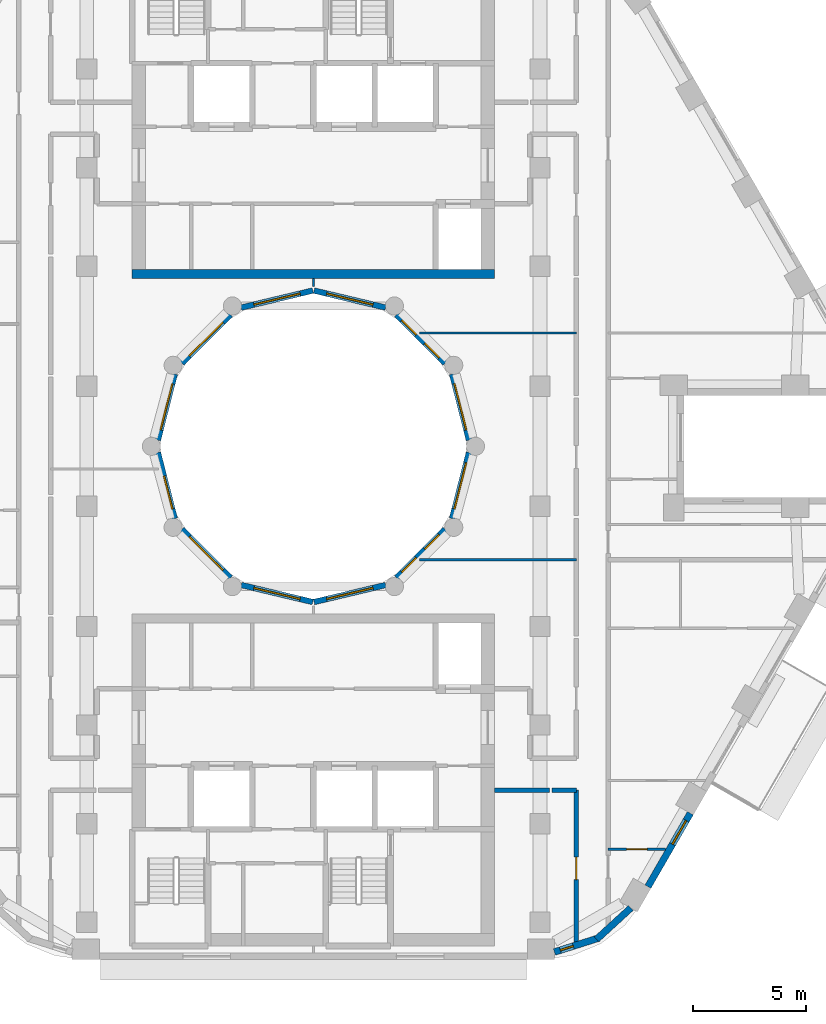
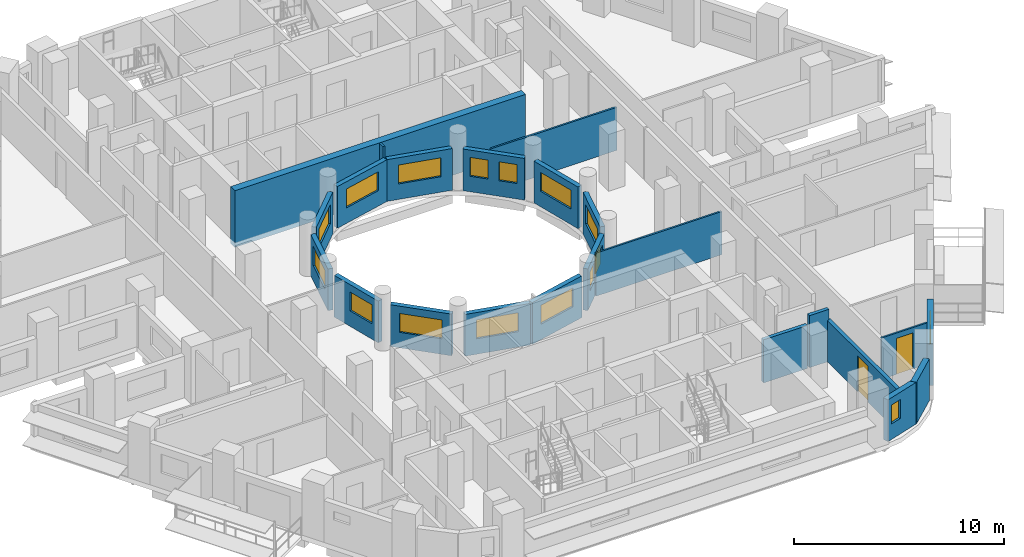
# One storey, part 5 of 15: 23 walls, 16 windows, 2 doors, 18 openings.
"""IFC4 building model written with IfcOpenShell, lengths in metres."""

from ifc_helpers import new_model, si_unit, direction, frame, frame_2d, origin, place, context, subcontext, project, spatial, rectangle, extrude, material, layer, layer_set, type_object, element, fill, save


model = new_model("IFC4")

# Units and contexts
model_context = context("Model", 3, precision=1e-05, world=origin(), true_north=direction((0.0, 1.0)))
body_context = subcontext(model_context, "Body", "Model", "MODEL_VIEW")
ifc_project = project(units=[si_unit("LENGTHUNIT", "METRE"), si_unit("AREAUNIT", "SQUARE_METRE"), si_unit("VOLUMEUNIT", "CUBIC_METRE"), si_unit("PLANEANGLEUNIT", "RADIAN"), si_unit("MASSUNIT", "GRAM", prefix="KILO")], contexts=[model_context])

# Site, building, storey
site_placement = place(None, origin())
site = spatial("IfcSite", under=ifc_project, at=site_placement, CompositionType="ELEMENT")
building_placement = place(site_placement, origin())
building = spatial("IfcBuilding", under=site, at=building_placement, Name="Nakaniwa Court", CompositionType="ELEMENT")
storey_placement = place(building_placement, frame((0.0, 0.0, 189.89990234375)))
storey = spatial("IfcBuildingStorey", under=building, at=storey_placement, Name="L49", CompositionType="ELEMENT", Elevation=189.89990234375)

# Wall, opening, door
ifc_material_1 = material(Name="Acoustic double stud partition")
ifc_layer_1 = layer(ifc_material_1, 0.199951171875)
ifc_layer_set_1 = layer_set([ifc_layer_1], Name="Acoustic double stud partition")
wall_type_1 = type_object("IfcWallType", Name="Acoustic double stud partition 200", PredefinedType="PARTITIONING", material=ifc_layer_set_1)
wall_1_placement = place(storey_placement, frame((91.60009765625, 57.92626953125, 0.0), z_axis=(0.0, 0.0, 1.0), x_axis=(0.0, 1.0, 0.0)))
wall_1 = element("IfcWall", 1, at=wall_1_placement, inside=storey, type_object=wall_type_1, Name="Partition PW-067", PredefinedType="PARTITIONING", context=body_context, shape_type="SweptSolid", body=[
    extrude(rectangle(XDim=6.898681640625, YDim=0.199951171875, at=frame_2d((3.44921875, 0.0))), origin(), (0.0, 0.0, 1.0), 2.405029296875),
])
opening_1_placement = place(wall_1_placement, frame((2.948974609375, 0.0, 0.0)))
opening_1 = element("IfcOpeningElement", 2, at=opening_1_placement, cuts=wall_1, Name="Opening D-02-01", PredefinedType="OPENING", context=body_context, shape_type="SweptSolid", body=[
    extrude(rectangle(XDim=1.0, YDim=2.10009765625, at=frame_2d((0.5, 1.050048828125))), frame((0.0, 0.10986328125, 0.0), z_axis=(0.0, -1.0, 0.0), x_axis=(1.0, 0.0, 0.0)), (0.0, 0.0, 1.0), 0.219970703125),
])
ifc_material_2 = material(Name="Solid core timber door set, black veneer", Category="wood")
door_type_1 = type_object("IfcDoorType", Name="Internal door 1000", OperationType="NOTDEFINED", PredefinedType="DOOR", material=ifc_material_2)
door_1_placement = place(opening_1_placement, origin())
door_1 = element("IfcDoor", 3, at=door_1_placement, inside=storey, type_object=door_type_1, Name="Door D-02-01 L49-023", OperationType="SINGLE_SWING_RIGHT", OverallHeight=2.10009765625, OverallWidth=1.0, PredefinedType="DOOR", context=body_context, shape_type="SweptSolid", body=[
    extrude(rectangle(XDim=1.0, YDim=2.10009765625, at=frame_2d((0.5, 1.050048828125))), frame((0.0, 0.02490234375, 0.0), z_axis=(0.0, -1.0, 0.0), x_axis=(1.0, 0.0, 0.0)), (0.0, 0.0, 1.0), 0.050048828125),
])
fill(opening_1, door_1)

# Walls
wall_2_placement = place(storey_placement, frame((88.0, 64.824951171875, 0.0), z_axis=(0.0, 0.0, 1.0), x_axis=(1.0, 0.0, 0.0)))
element("IfcWall", 4, at=wall_2_placement, inside=storey, type_object=wall_type_1, Name="Partition PW-076", PredefinedType="PARTITIONING", context=body_context, shape_type="SweptSolid", body=[
    extrude(rectangle(XDim=2.412841796875, YDim=0.199951171875, at=frame_2d((1.20654296875, 0.0))), origin(), (0.0, 0.0, 1.0), 2.505126953125),
])
wall_3_placement = place(storey_placement, frame((90.527099609375, 64.824951171875, 0.0), z_axis=(0.0, 0.0, 1.0), x_axis=(1.0, 0.0, 0.0)))
element("IfcWall", 5, at=wall_3_placement, inside=storey, type_object=wall_type_1, Name="Partition PW-077", PredefinedType="PARTITIONING", context=body_context, shape_type="SweptSolid", body=[
    extrude(rectangle(XDim=1.072998046875, YDim=0.199951171875, at=frame_2d((0.53662109375, 0.0))), origin(), (0.0, 0.0, 1.0), 3.025146484375),
])

# Wall, opening, window
ifc_material_3 = material(Name="Charcoal ceramic cladding")
ifc_layer_2 = layer(ifc_material_3, 0.02, Name="Ceramic cladding")
ifc_material_4 = material(Name="Ventilated air cavity")
ifc_layer_3 = layer(ifc_material_4, 0.04, ventilated=True, Name="Ventilated cavity")
ifc_material_5 = material(Name="Mineral wool insulation")
ifc_layer_4 = layer(ifc_material_5, 0.1, Name="Insulation")
ifc_material_6 = material(Name="Cement bonded sheathing board")
ifc_layer_5 = layer(ifc_material_6, 0.012, Name="Sheathing")
ifc_material_7 = material(Name="Cold-formed galvanised stud frame with mineral wool infill")
ifc_layer_6 = layer(ifc_material_7, 0.1, Name="Stud frame")
ifc_material_8 = material(Name="Fire-rated gypsum plasterboard lining")
ifc_layer_7 = layer(ifc_material_8, 0.028, Name="Lining")
ifc_layer_set_2 = layer_set([ifc_layer_2, ifc_layer_3, ifc_layer_4, ifc_layer_5, ifc_layer_6, ifc_layer_7], Name="Charcoal ceramic faced external wall system")
wall_type_2 = type_object("IfcWallType", Name="Black ceramic faced external wall 300", PredefinedType="SOLIDWALL", material=ifc_layer_set_2)
wall_4_placement = place(storey_placement, frame((90.6357421875, 57.684814453125, 0.0), z_axis=(0.0, 0.0, 1.0), x_axis=(0.95368324118, 0.300812691707, 0.0)))
wall_4 = element("IfcWall", 6, at=wall_4_placement, inside=storey, type_object=wall_type_2, Name="L49 external wall 27", PredefinedType="SOLIDWALL", context=body_context, shape_type="SweptSolid", body=[
    extrude(rectangle(XDim=2.053466796875, YDim=0.300048828125, at=frame_2d((1.02685546875, 0.0))), origin(), (0.0, 0.0, 1.0), 2.425048828125),
])
opening_2_placement = place(wall_4_placement, frame((0.271240234375, 0.0, 0.89990234375)))
opening_2 = element("IfcOpeningElement", 7, at=opening_2_placement, cuts=wall_4, Name="Opening W8.29", PredefinedType="OPENING", context=body_context, shape_type="SweptSolid", body=[
    extrude(rectangle(XDim=0.60009765625, YDim=1.10009765625, at=frame_2d((0.300048828125, 0.550048828125))), frame((0.0, 0.159912109375, 0.0), z_axis=(0.0, -1.0, 0.0), x_axis=(1.0, 0.0, 0.0)), (0.0, 0.0, 1.0), 0.320068359375),
])
ifc_material_9 = material(Name="Black anodised aluminium frame with dark low-E laminated double glazing", Category="aluminium")
window_type_1 = type_object("IfcWindowType", Name="Dark glass window 600x1100 sill 900", PartitioningType="SINGLE_PANEL", PredefinedType="WINDOW", material=ifc_material_9)
window_1_placement = place(opening_2_placement, origin())
window_1 = element("IfcWindow", 8, at=window_1_placement, inside=storey, type_object=window_type_1, Name="L49 habitable room window 27-0", OverallHeight=1.10009765625, OverallWidth=0.60009765625, PartitioningType="SINGLE_PANEL", PredefinedType="WINDOW", context=body_context, shape_type="SweptSolid", body=[
    extrude(rectangle(XDim=0.60009765625, YDim=1.10009765625, at=frame_2d((0.300048828125, 0.550048828125))), frame((0.0, 0.030029296875, 0.0), z_axis=(0.0, -1.0, 0.0), x_axis=(1.0, 0.0, 0.0)), (0.0, 0.0, 1.0), 0.06005859375),
])
fill(opening_2, window_1)

# Wall
wall_5_placement = place(storey_placement, frame((92.494140625, 58.243896484375, 0.0), z_axis=(0.0, 0.0, 1.0), x_axis=(0.73764876128, 0.675184645102, 0.0)))
element("IfcWall", 9, at=wall_5_placement, inside=storey, type_object=wall_type_2, Name="L49 external wall 28", PredefinedType="SOLIDWALL", context=body_context, shape_type="SweptSolid", body=[
    extrude(rectangle(XDim=2.048095703125, YDim=0.300048828125, at=frame_2d((1.02392578125, 0.0))), origin(), (0.0, 0.0, 1.0), 2.425048828125),
])

# Wall, opening, window
wall_6_placement = place(storey_placement, frame((94.760986328125, 60.566650390625, 0.0), z_axis=(0.0, 0.0, 1.0), x_axis=(0.499982088007, 0.866035745032, 0.0)))
wall_6 = element("IfcWall", 10, at=wall_6_placement, inside=storey, type_object=wall_type_2, Name="L49 external wall 29", PredefinedType="SOLIDWALL", context=body_context, shape_type="SweptSolid", body=[
    extrude(rectangle(XDim=3.744384765625, YDim=0.300048828125, at=frame_2d((1.8720703125, 0.0))), origin(), (0.0, 0.0, 1.0), 2.425048828125),
])
opening_3_placement = place(wall_6_placement, frame((2.168701171875, 0.0, 0.89990234375)))
opening_3 = element("IfcOpeningElement", 11, at=opening_3_placement, cuts=wall_6, Name="Opening W6.30", PredefinedType="OPENING", context=body_context, shape_type="SweptSolid", body=[
    extrude(rectangle(XDim=1.199951171875, YDim=1.10009765625, at=frame_2d((0.60009765625, 0.550048828125))), frame((0.0, 0.159912109375, 0.0), z_axis=(0.0, -1.0, 0.0), x_axis=(1.0, 0.0, 0.0)), (0.0, 0.0, 1.0), 0.320068359375),
])
window_type_2 = type_object("IfcWindowType", Name="Dark glass window 1200x1100 sill 900", PartitioningType="SINGLE_PANEL", PredefinedType="WINDOW", material=ifc_material_9)
window_2_placement = place(opening_3_placement, origin())
window_2 = element("IfcWindow", 12, at=window_2_placement, inside=storey, type_object=window_type_2, Name="L49 habitable room window 29-1", OverallHeight=1.10009765625, OverallWidth=1.199951171875, PartitioningType="SINGLE_PANEL", PredefinedType="WINDOW", context=body_context, shape_type="SweptSolid", body=[
    extrude(rectangle(XDim=1.199951171875, YDim=1.10009765625, at=frame_2d((0.60009765625, 0.550048828125))), frame((0.0, 0.030029296875, 0.0), z_axis=(0.0, -1.0, 0.0), x_axis=(1.0, 0.0, 0.0)), (0.0, 0.0, 1.0), 0.06005859375),
])
fill(opening_3, window_2)

ifc_layer_8 = layer(ifc_material_3, 0.02, Name="Ceramic cladding")
ifc_layer_9 = layer(ifc_material_4, 0.04, ventilated=True, Name="Ventilated cavity")
ifc_layer_10 = layer(ifc_material_5, 0.075, Name="Insulation")
ifc_layer_11 = layer(ifc_material_6, 0.012, Name="Sheathing")
ifc_layer_12 = layer(ifc_material_7, 0.075, Name="Stud frame")
ifc_layer_13 = layer(ifc_material_8, 0.028, Name="Lining")
ifc_layer_set_3 = layer_set([ifc_layer_8, ifc_layer_9, ifc_layer_10, ifc_layer_11, ifc_layer_12, ifc_layer_13], Name="Charcoal ceramic faced external wall system")
wall_type_3 = type_object("IfcWallType", Name="Charcoal ceramic faced well wall 250", PredefinedType="SOLIDWALL", material=ifc_layer_set_3)
wall_7_placement = place(storey_placement, frame((86.8603515625, 79.72998046875, 0.0), z_axis=(0.0, 0.0, 1.0), x_axis=(-0.247055971283, -0.969001211069, 0.0)))
wall_7 = element("IfcWall", 13, at=wall_7_placement, inside=storey, type_object=wall_type_3, Name="L49 external wall 36", PredefinedType="SOLIDWALL", context=body_context, shape_type="SweptSolid", body=[
    extrude(rectangle(XDim=3.010009765625, YDim=0.25, at=frame_2d((1.5048828125, 0.0))), origin(), (0.0, 0.0, 1.0), 2.425048828125),
])
opening_4_placement = place(wall_7_placement, frame((0.46875, 0.0, 0.89990234375)))
opening_4 = element("IfcOpeningElement", 14, at=opening_4_placement, cuts=wall_7, Name="Opening W7.36", PredefinedType="OPENING", context=body_context, shape_type="SweptSolid", body=[
    extrude(rectangle(XDim=2.10009765625, YDim=1.10009765625, at=frame_2d((1.050048828125, 0.550048828125))), frame((0.0, 0.135009765625, 0.0), z_axis=(0.0, -1.0, 0.0), x_axis=(1.0, 0.0, 0.0)), (0.0, 0.0, 1.0), 0.27001953125),
])
window_type_3 = type_object("IfcWindowType", Name="Dark glass window 2100x1100 sill 900", PartitioningType="SINGLE_PANEL", PredefinedType="WINDOW", material=ifc_material_9)
window_3_placement = place(opening_4_placement, origin())
window_3 = element("IfcWindow", 15, at=window_3_placement, inside=storey, type_object=window_type_3, Name="L49 habitable room window 36-0", OverallHeight=1.10009765625, OverallWidth=2.10009765625, PartitioningType="SINGLE_PANEL", PredefinedType="WINDOW", context=body_context, shape_type="SweptSolid", body=[
    extrude(rectangle(XDim=2.10009765625, YDim=1.10009765625, at=frame_2d((1.050048828125, 0.550048828125))), frame((0.0, 0.030029296875, 0.0), z_axis=(0.0, -1.0, 0.0), x_axis=(1.0, 0.0, 0.0)), (0.0, 0.0, 1.0), 0.06005859375),
])
fill(opening_4, window_3)

# Wall, openings, windows
wall_8_placement = place(storey_placement, frame((85.8056640625, 76.339111328125, 0.0), z_axis=(0.0, 0.0, 1.0), x_axis=(-0.707106781187, -0.707106781187, 0.0)))
wall_8 = element("IfcWall", 16, at=wall_8_placement, inside=storey, type_object=wall_type_3, Name="L49 external wall 37", PredefinedType="SOLIDWALL", context=body_context, shape_type="SweptSolid", body=[
    extrude(rectangle(XDim=3.033203125, YDim=0.25, at=frame_2d((1.5166015625, 0.0))), origin(), (0.0, 0.0, 1.0), 2.425048828125),
])
opening_5_placement = place(wall_8_placement, frame((0.353271484375, 0.0, 0.89990234375)))
opening_5 = element("IfcOpeningElement", 17, at=opening_5_placement, cuts=wall_8, Name="Opening W9.37", PredefinedType="OPENING", context=body_context, shape_type="SweptSolid", body=[
    extrude(rectangle(XDim=0.89990234375, YDim=1.10009765625, at=frame_2d((0.449951171875, 0.550048828125))), frame((0.0, 0.135009765625, 0.0), z_axis=(0.0, -1.0, 0.0), x_axis=(1.0, 0.0, 0.0)), (0.0, 0.0, 1.0), 0.27001953125),
])
opening_6_placement = place(wall_8_placement, frame((1.787841796875, 0.0, 0.89990234375)))
opening_6 = element("IfcOpeningElement", 18, at=opening_6_placement, cuts=wall_8, Name="Opening W9.38", PredefinedType="OPENING", context=body_context, shape_type="SweptSolid", body=[
    extrude(rectangle(XDim=0.89990234375, YDim=1.10009765625, at=frame_2d((0.449951171875, 0.550048828125))), frame((0.0, 0.135009765625, 0.0), z_axis=(0.0, -1.0, 0.0), x_axis=(1.0, 0.0, 0.0)), (0.0, 0.0, 1.0), 0.27001953125),
])
window_type_4 = type_object("IfcWindowType", Name="Dark glass window 900x1100 sill 900", PartitioningType="SINGLE_PANEL", PredefinedType="WINDOW", material=ifc_material_9)
window_4_placement = place(opening_5_placement, origin())
window_4 = element("IfcWindow", 19, at=window_4_placement, inside=storey, type_object=window_type_4, Name="L49 habitable room window 37-0", OverallHeight=1.10009765625, OverallWidth=0.89990234375, PartitioningType="SINGLE_PANEL", PredefinedType="WINDOW", context=body_context, shape_type="SweptSolid", body=[
    extrude(rectangle(XDim=0.89990234375, YDim=1.10009765625, at=frame_2d((0.449951171875, 0.550048828125))), frame((0.0, 0.030029296875, 0.0), z_axis=(0.0, -1.0, 0.0), x_axis=(1.0, 0.0, 0.0)), (0.0, 0.0, 1.0), 0.06005859375),
])
fill(opening_5, window_4)
window_5_placement = place(opening_6_placement, origin())
window_5 = element("IfcWindow", 20, at=window_5_placement, inside=storey, type_object=window_type_4, Name="L49 habitable room window 37-1", OverallHeight=1.10009765625, OverallWidth=0.89990234375, PartitioningType="SINGLE_PANEL", PredefinedType="WINDOW", context=body_context, shape_type="SweptSolid", body=[
    extrude(rectangle(XDim=0.89990234375, YDim=1.10009765625, at=frame_2d((0.449951171875, 0.550048828125))), frame((0.0, 0.030029296875, 0.0), z_axis=(0.0, -1.0, 0.0), x_axis=(1.0, 0.0, 0.0)), (0.0, 0.0, 1.0), 0.06005859375),
])
fill(opening_6, window_5)

# Wall, opening, window
wall_9_placement = place(storey_placement, frame((83.186279296875, 73.880615234375, 0.0), z_axis=(0.0, 0.0, 1.0), x_axis=(-0.972773113459, -0.231759508395, 0.0)))
wall_9 = element("IfcWall", 21, at=wall_9_placement, inside=storey, type_object=wall_type_3, Name="L49 external wall 38", PredefinedType="SOLIDWALL", context=body_context, shape_type="SweptSolid", body=[
    extrude(rectangle(XDim=3.24560546875, YDim=0.25, at=frame_2d((1.622802734375, 0.0))), origin(), (0.0, 0.0, 1.0), 2.425048828125),
])
opening_7_placement = place(wall_9_placement, frame((0.57275390625, 0.0, 0.89990234375)))
opening_7 = element("IfcOpeningElement", 22, at=opening_7_placement, cuts=wall_9, Name="Opening W7.39", PredefinedType="OPENING", context=body_context, shape_type="SweptSolid", body=[
    extrude(rectangle(XDim=2.10009765625, YDim=1.10009765625, at=frame_2d((1.050048828125, 0.550048828125))), frame((0.0, 0.135009765625, 0.0), z_axis=(0.0, -1.0, 0.0), x_axis=(1.0, 0.0, 0.0)), (0.0, 0.0, 1.0), 0.27001953125),
])
window_6_placement = place(opening_7_placement, origin())
window_6 = element("IfcWindow", 23, at=window_6_placement, inside=storey, type_object=window_type_3, Name="L49 habitable room window 38-0", OverallHeight=1.10009765625, OverallWidth=2.10009765625, PartitioningType="SINGLE_PANEL", PredefinedType="WINDOW", context=body_context, shape_type="SweptSolid", body=[
    extrude(rectangle(XDim=2.10009765625, YDim=1.10009765625, at=frame_2d((1.050048828125, 0.550048828125))), frame((0.0, 0.030029296875, 0.0), z_axis=(0.0, -1.0, 0.0), x_axis=(1.0, 0.0, 0.0)), (0.0, 0.0, 1.0), 0.06005859375),
])
fill(opening_7, window_6)

wall_10_placement = place(storey_placement, frame((79.970947265625, 73.12841796875, 0.0), z_axis=(0.0, 0.0, 1.0), x_axis=(-0.972773113459, 0.231759508395, 0.0)))
wall_10 = element("IfcWall", 24, at=wall_10_placement, inside=storey, type_object=wall_type_3, Name="L49 external wall 39", PredefinedType="SOLIDWALL", context=body_context, shape_type="SweptSolid", body=[
    extrude(rectangle(XDim=3.24560546875, YDim=0.25, at=frame_2d((1.622802734375, 0.0))), origin(), (0.0, 0.0, 1.0), 2.425048828125),
])
opening_8_placement = place(wall_10_placement, frame((0.57275390625, 0.0, 0.89990234375)))
opening_8 = element("IfcOpeningElement", 25, at=opening_8_placement, cuts=wall_10, Name="Opening W7.40", PredefinedType="OPENING", context=body_context, shape_type="SweptSolid", body=[
    extrude(rectangle(XDim=2.10009765625, YDim=1.10009765625, at=frame_2d((1.050048828125, 0.550048828125))), frame((0.0, 0.135009765625, 0.0), z_axis=(0.0, -1.0, 0.0), x_axis=(1.0, 0.0, 0.0)), (0.0, 0.0, 1.0), 0.27001953125),
])
window_7_placement = place(opening_8_placement, origin())
window_7 = element("IfcWindow", 26, at=window_7_placement, inside=storey, type_object=window_type_3, Name="L49 habitable room window 39-0", OverallHeight=1.10009765625, OverallWidth=2.10009765625, PartitioningType="SINGLE_PANEL", PredefinedType="WINDOW", context=body_context, shape_type="SweptSolid", body=[
    extrude(rectangle(XDim=2.10009765625, YDim=1.10009765625, at=frame_2d((1.050048828125, 0.550048828125))), frame((0.0, 0.030029296875, 0.0), z_axis=(0.0, -1.0, 0.0), x_axis=(1.0, 0.0, 0.0)), (0.0, 0.0, 1.0), 0.06005859375),
])
fill(opening_8, window_7)

wall_11_placement = place(storey_placement, frame((76.339111328125, 74.1943359375, 0.0), z_axis=(0.0, 0.0, 1.0), x_axis=(-0.707106781187, 0.707106781187, 0.0)))
wall_11 = element("IfcWall", 27, at=wall_11_placement, inside=storey, type_object=wall_type_3, Name="L49 external wall 40", PredefinedType="SOLIDWALL", context=body_context, shape_type="SweptSolid", body=[
    extrude(rectangle(XDim=3.033203125, YDim=0.25, at=frame_2d((1.5166015625, 0.0))), origin(), (0.0, 0.0, 1.0), 2.425048828125),
])
opening_9_placement = place(wall_11_placement, frame((0.466552734375, 0.0, 0.89990234375)))
opening_9 = element("IfcOpeningElement", 28, at=opening_9_placement, cuts=wall_11, Name="Opening W7.41", PredefinedType="OPENING", context=body_context, shape_type="SweptSolid", body=[
    extrude(rectangle(XDim=2.10009765625, YDim=1.10009765625, at=frame_2d((1.050048828125, 0.550048828125))), frame((0.0, 0.135009765625, 0.0), z_axis=(0.0, -1.0, 0.0), x_axis=(1.0, 0.0, 0.0)), (0.0, 0.0, 1.0), 0.27001953125),
])
window_8_placement = place(opening_9_placement, origin())
window_8 = element("IfcWindow", 29, at=window_8_placement, inside=storey, type_object=window_type_3, Name="L49 habitable room window 40-0", OverallHeight=1.10009765625, OverallWidth=2.10009765625, PartitioningType="SINGLE_PANEL", PredefinedType="WINDOW", context=body_context, shape_type="SweptSolid", body=[
    extrude(rectangle(XDim=2.10009765625, YDim=1.10009765625, at=frame_2d((1.050048828125, 0.550048828125))), frame((0.0, 0.030029296875, 0.0), z_axis=(0.0, -1.0, 0.0), x_axis=(1.0, 0.0, 0.0)), (0.0, 0.0, 1.0), 0.06005859375),
])
fill(opening_9, window_8)

wall_12_placement = place(storey_placement, frame((73.88330078125, 76.813232421875, 0.0), z_axis=(0.0, 0.0, 1.0), x_axis=(-0.247055971283, 0.969001211069, 0.0)))
wall_12 = element("IfcWall", 30, at=wall_12_placement, inside=storey, type_object=wall_type_3, Name="L49 external wall 41", PredefinedType="SOLIDWALL", context=body_context, shape_type="SweptSolid", body=[
    extrude(rectangle(XDim=3.010009765625, YDim=0.25, at=frame_2d((1.5048828125, 0.0))), origin(), (0.0, 0.0, 1.0), 2.425048828125),
])
opening_10_placement = place(wall_12_placement, frame((0.4326171875, 0.0, 0.89990234375)))
opening_10 = element("IfcOpeningElement", 31, at=opening_10_placement, cuts=wall_12, Name="Opening W5.42", PredefinedType="OPENING", context=body_context, shape_type="SweptSolid", body=[
    extrude(rectangle(XDim=1.5, YDim=1.10009765625, at=frame_2d((0.75, 0.550048828125))), frame((0.0, 0.135009765625, 0.0), z_axis=(0.0, -1.0, 0.0), x_axis=(1.0, 0.0, 0.0)), (0.0, 0.0, 1.0), 0.27001953125),
])
window_type_5 = type_object("IfcWindowType", Name="Dark glass window 1500x1100 sill 900", PartitioningType="SINGLE_PANEL", PredefinedType="WINDOW", material=ifc_material_9)
window_9_placement = place(opening_10_placement, origin())
window_9 = element("IfcWindow", 32, at=window_9_placement, inside=storey, type_object=window_type_5, Name="L49 habitable room window 41-0", OverallHeight=1.10009765625, OverallWidth=1.5, PartitioningType="SINGLE_PANEL", PredefinedType="WINDOW", context=body_context, shape_type="SweptSolid", body=[
    extrude(rectangle(XDim=1.5, YDim=1.10009765625, at=frame_2d((0.75, 0.550048828125))), frame((0.0, 0.030029296875, 0.0), z_axis=(0.0, -1.0, 0.0), x_axis=(1.0, 0.0, 0.0)), (0.0, 0.0, 1.0), 0.06005859375),
])
fill(opening_10, window_9)

wall_13_placement = place(storey_placement, frame((73.1396484375, 80.27001953125, 0.0), z_axis=(0.0, 0.0, 1.0), x_axis=(0.247055971283, 0.969001211069, 0.0)))
wall_13 = element("IfcWall", 33, at=wall_13_placement, inside=storey, type_object=wall_type_3, Name="L49 external wall 42", PredefinedType="SOLIDWALL", context=body_context, shape_type="SweptSolid", body=[
    extrude(rectangle(XDim=3.010009765625, YDim=0.25, at=frame_2d((1.5048828125, 0.0))), origin(), (0.0, 0.0, 1.0), 2.425048828125),
])
opening_11_placement = place(wall_13_placement, frame((0.46875, 0.0, 0.89990234375)))
opening_11 = element("IfcOpeningElement", 34, at=opening_11_placement, cuts=wall_13, Name="Opening W7.43", PredefinedType="OPENING", context=body_context, shape_type="SweptSolid", body=[
    extrude(rectangle(XDim=2.10009765625, YDim=1.10009765625, at=frame_2d((1.050048828125, 0.550048828125))), frame((0.0, 0.135009765625, 0.0), z_axis=(0.0, -1.0, 0.0), x_axis=(1.0, 0.0, 0.0)), (0.0, 0.0, 1.0), 0.27001953125),
])
window_10_placement = place(opening_11_placement, origin())
window_10 = element("IfcWindow", 35, at=window_10_placement, inside=storey, type_object=window_type_3, Name="L49 habitable room window 42-0", OverallHeight=1.10009765625, OverallWidth=2.10009765625, PartitioningType="SINGLE_PANEL", PredefinedType="WINDOW", context=body_context, shape_type="SweptSolid", body=[
    extrude(rectangle(XDim=2.10009765625, YDim=1.10009765625, at=frame_2d((1.050048828125, 0.550048828125))), frame((0.0, 0.030029296875, 0.0), z_axis=(0.0, -1.0, 0.0), x_axis=(1.0, 0.0, 0.0)), (0.0, 0.0, 1.0), 0.06005859375),
])
fill(opening_11, window_10)

wall_14_placement = place(storey_placement, frame((74.1943359375, 83.660888671875, 0.0), z_axis=(0.0, 0.0, 1.0), x_axis=(0.707106781187, 0.707106781187, 0.0)))
wall_14 = element("IfcWall", 36, at=wall_14_placement, inside=storey, type_object=wall_type_3, Name="L49 external wall 43", PredefinedType="SOLIDWALL", context=body_context, shape_type="SweptSolid", body=[
    extrude(rectangle(XDim=3.033203125, YDim=0.25, at=frame_2d((1.5166015625, 0.0))), origin(), (0.0, 0.0, 1.0), 2.425048828125),
])
opening_12_placement = place(wall_14_placement, frame((0.466552734375, 0.0, 0.89990234375)))
opening_12 = element("IfcOpeningElement", 37, at=opening_12_placement, cuts=wall_14, Name="Opening W7.44", PredefinedType="OPENING", context=body_context, shape_type="SweptSolid", body=[
    extrude(rectangle(XDim=2.10009765625, YDim=1.10009765625, at=frame_2d((1.050048828125, 0.550048828125))), frame((0.0, 0.135009765625, 0.0), z_axis=(0.0, -1.0, 0.0), x_axis=(1.0, 0.0, 0.0)), (0.0, 0.0, 1.0), 0.27001953125),
])
window_11_placement = place(opening_12_placement, origin())
window_11 = element("IfcWindow", 38, at=window_11_placement, inside=storey, type_object=window_type_3, Name="L49 habitable room window 43-0", OverallHeight=1.10009765625, OverallWidth=2.10009765625, PartitioningType="SINGLE_PANEL", PredefinedType="WINDOW", context=body_context, shape_type="SweptSolid", body=[
    extrude(rectangle(XDim=2.10009765625, YDim=1.10009765625, at=frame_2d((1.050048828125, 0.550048828125))), frame((0.0, 0.030029296875, 0.0), z_axis=(0.0, -1.0, 0.0), x_axis=(1.0, 0.0, 0.0)), (0.0, 0.0, 1.0), 0.06005859375),
])
fill(opening_12, window_11)

wall_15_placement = place(storey_placement, frame((76.813720703125, 86.119384765625, 0.0), z_axis=(0.0, 0.0, 1.0), x_axis=(0.972773113459, 0.231759508395, 0.0)))
wall_15 = element("IfcWall", 39, at=wall_15_placement, inside=storey, type_object=wall_type_3, Name="L49 external wall 44", PredefinedType="SOLIDWALL", context=body_context, shape_type="SweptSolid", body=[
    extrude(rectangle(XDim=3.24560546875, YDim=0.25, at=frame_2d((1.622802734375, 0.0))), origin(), (0.0, 0.0, 1.0), 2.425048828125),
])
opening_13_placement = place(wall_15_placement, frame((0.57275390625, 0.0, 0.89990234375)))
opening_13 = element("IfcOpeningElement", 40, at=opening_13_placement, cuts=wall_15, Name="Opening W7.45", PredefinedType="OPENING", context=body_context, shape_type="SweptSolid", body=[
    extrude(rectangle(XDim=2.10009765625, YDim=1.10009765625, at=frame_2d((1.050048828125, 0.550048828125))), frame((0.0, 0.135009765625, 0.0), z_axis=(0.0, -1.0, 0.0), x_axis=(1.0, 0.0, 0.0)), (0.0, 0.0, 1.0), 0.27001953125),
])
window_12_placement = place(opening_13_placement, origin())
window_12 = element("IfcWindow", 41, at=window_12_placement, inside=storey, type_object=window_type_3, Name="L49 habitable room window 44-0", OverallHeight=1.10009765625, OverallWidth=2.10009765625, PartitioningType="SINGLE_PANEL", PredefinedType="WINDOW", context=body_context, shape_type="SweptSolid", body=[
    extrude(rectangle(XDim=2.10009765625, YDim=1.10009765625, at=frame_2d((1.050048828125, 0.550048828125))), frame((0.0, 0.030029296875, 0.0), z_axis=(0.0, -1.0, 0.0), x_axis=(1.0, 0.0, 0.0)), (0.0, 0.0, 1.0), 0.06005859375),
])
fill(opening_13, window_12)

wall_16_placement = place(storey_placement, frame((80.029052734375, 86.87158203125, 0.0), z_axis=(0.0, 0.0, 1.0), x_axis=(0.972773113459, -0.231759508395, 0.0)))
wall_16 = element("IfcWall", 42, at=wall_16_placement, inside=storey, type_object=wall_type_3, Name="L49 external wall 45", PredefinedType="SOLIDWALL", context=body_context, shape_type="SweptSolid", body=[
    extrude(rectangle(XDim=3.24560546875, YDim=0.25, at=frame_2d((1.622802734375, 0.0))), origin(), (0.0, 0.0, 1.0), 2.425048828125),
])
opening_14_placement = place(wall_16_placement, frame((0.57275390625, 0.0, 0.89990234375)))
opening_14 = element("IfcOpeningElement", 43, at=opening_14_placement, cuts=wall_16, Name="Opening W7.46", PredefinedType="OPENING", context=body_context, shape_type="SweptSolid", body=[
    extrude(rectangle(XDim=2.10009765625, YDim=1.10009765625, at=frame_2d((1.050048828125, 0.550048828125))), frame((0.0, 0.135009765625, 0.0), z_axis=(0.0, -1.0, 0.0), x_axis=(1.0, 0.0, 0.0)), (0.0, 0.0, 1.0), 0.27001953125),
])
window_13_placement = place(opening_14_placement, origin())
window_13 = element("IfcWindow", 44, at=window_13_placement, inside=storey, type_object=window_type_3, Name="L49 habitable room window 45-0", OverallHeight=1.10009765625, OverallWidth=2.10009765625, PartitioningType="SINGLE_PANEL", PredefinedType="WINDOW", context=body_context, shape_type="SweptSolid", body=[
    extrude(rectangle(XDim=2.10009765625, YDim=1.10009765625, at=frame_2d((1.050048828125, 0.550048828125))), frame((0.0, 0.030029296875, 0.0), z_axis=(0.0, -1.0, 0.0), x_axis=(1.0, 0.0, 0.0)), (0.0, 0.0, 1.0), 0.06005859375),
])
fill(opening_14, window_13)

# Wall, openings, windows
wall_17_placement = place(storey_placement, frame((83.660888671875, 85.8056640625, 0.0), z_axis=(0.0, 0.0, 1.0), x_axis=(0.707106781187, -0.707106781187, 0.0)))
wall_17 = element("IfcWall", 45, at=wall_17_placement, inside=storey, type_object=wall_type_3, Name="L49 external wall 46", PredefinedType="SOLIDWALL", context=body_context, shape_type="SweptSolid", body=[
    extrude(rectangle(XDim=3.033203125, YDim=0.25, at=frame_2d((1.5166015625, 0.0))), origin(), (0.0, 0.0, 1.0), 2.425048828125),
])
opening_15_placement = place(wall_17_placement, frame((0.34521484375, 0.0, 0.89990234375)))
opening_15 = element("IfcOpeningElement", 46, at=opening_15_placement, cuts=wall_17, Name="Opening W9.47", PredefinedType="OPENING", context=body_context, shape_type="SweptSolid", body=[
    extrude(rectangle(XDim=0.89990234375, YDim=1.10009765625, at=frame_2d((0.449951171875, 0.550048828125))), frame((0.0, 0.135009765625, 0.0), z_axis=(0.0, -1.0, 0.0), x_axis=(1.0, 0.0, 0.0)), (0.0, 0.0, 1.0), 0.27001953125),
])
opening_16_placement = place(wall_17_placement, frame((1.780029296875, 0.0, 0.89990234375)))
opening_16 = element("IfcOpeningElement", 47, at=opening_16_placement, cuts=wall_17, Name="Opening W9.48", PredefinedType="OPENING", context=body_context, shape_type="SweptSolid", body=[
    extrude(rectangle(XDim=0.89990234375, YDim=1.10009765625, at=frame_2d((0.449951171875, 0.550048828125))), frame((0.0, 0.135009765625, 0.0), z_axis=(0.0, -1.0, 0.0), x_axis=(1.0, 0.0, 0.0)), (0.0, 0.0, 1.0), 0.27001953125),
])
window_14_placement = place(opening_15_placement, origin())
window_14 = element("IfcWindow", 48, at=window_14_placement, inside=storey, type_object=window_type_4, Name="L49 habitable room window 46-0", OverallHeight=1.10009765625, OverallWidth=0.89990234375, PartitioningType="SINGLE_PANEL", PredefinedType="WINDOW", context=body_context, shape_type="SweptSolid", body=[
    extrude(rectangle(XDim=0.89990234375, YDim=1.10009765625, at=frame_2d((0.449951171875, 0.550048828125))), frame((0.0, 0.030029296875, 0.0), z_axis=(0.0, -1.0, 0.0), x_axis=(1.0, 0.0, 0.0)), (0.0, 0.0, 1.0), 0.06005859375),
])
fill(opening_15, window_14)
window_15_placement = place(opening_16_placement, origin())
window_15 = element("IfcWindow", 49, at=window_15_placement, inside=storey, type_object=window_type_4, Name="L49 habitable room window 46-1", OverallHeight=1.10009765625, OverallWidth=0.89990234375, PartitioningType="SINGLE_PANEL", PredefinedType="WINDOW", context=body_context, shape_type="SweptSolid", body=[
    extrude(rectangle(XDim=0.89990234375, YDim=1.10009765625, at=frame_2d((0.449951171875, 0.550048828125))), frame((0.0, 0.030029296875, 0.0), z_axis=(0.0, -1.0, 0.0), x_axis=(1.0, 0.0, 0.0)), (0.0, 0.0, 1.0), 0.06005859375),
])
fill(opening_16, window_15)

# Wall, opening, window
wall_18_placement = place(storey_placement, frame((86.11669921875, 83.186767578125, 0.0), z_axis=(0.0, 0.0, 1.0), x_axis=(0.247055971283, -0.969001211069, 0.0)))
wall_18 = element("IfcWall", 50, at=wall_18_placement, inside=storey, type_object=wall_type_3, Name="L49 external wall 47", PredefinedType="SOLIDWALL", context=body_context, shape_type="SweptSolid", body=[
    extrude(rectangle(XDim=3.010009765625, YDim=0.25, at=frame_2d((1.5048828125, 0.0))), origin(), (0.0, 0.0, 1.0), 2.425048828125),
])
opening_17_placement = place(wall_18_placement, frame((0.441162109375, 0.0, 0.89990234375)))
opening_17 = element("IfcOpeningElement", 51, at=opening_17_placement, cuts=wall_18, Name="Opening W7.49", PredefinedType="OPENING", context=body_context, shape_type="SweptSolid", body=[
    extrude(rectangle(XDim=2.10009765625, YDim=1.10009765625, at=frame_2d((1.050048828125, 0.550048828125))), frame((0.0, 0.135009765625, 0.0), z_axis=(0.0, -1.0, 0.0), x_axis=(1.0, 0.0, 0.0)), (0.0, 0.0, 1.0), 0.27001953125),
])
window_16_placement = place(opening_17_placement, origin())
window_16 = element("IfcWindow", 52, at=window_16_placement, inside=storey, type_object=window_type_3, Name="L49 habitable room window 47-0", OverallHeight=1.10009765625, OverallWidth=2.10009765625, PartitioningType="SINGLE_PANEL", PredefinedType="WINDOW", context=body_context, shape_type="SweptSolid", body=[
    extrude(rectangle(XDim=2.10009765625, YDim=1.10009765625, at=frame_2d((1.050048828125, 0.550048828125))), frame((0.0, 0.030029296875, 0.0), z_axis=(0.0, -1.0, 0.0), x_axis=(1.0, 0.0, 0.0)), (0.0, 0.0, 1.0), 0.06005859375),
])
fill(opening_17, window_16)

# Walls
ifc_material_10 = material(Name="Concrete C80/100", Category="concrete")
ifc_layer_14 = layer(ifc_material_10, 0.39990234375)
ifc_layer_set_4 = layer_set([ifc_layer_14], Name="Concrete C80/100")
wall_type_4 = type_object("IfcWallType", Name="Concrete core well wall 400 C80", PredefinedType="SHEAR", material=ifc_layer_set_4)
wall_19_placement = place(storey_placement, frame((72.00390625, 87.60009765625, -0.27490234375), z_axis=(0.0, 0.0, 1.0), x_axis=(1.0, 0.0, 0.0)))
element("IfcWall", 53, at=wall_19_placement, inside=storey, type_object=wall_type_4, Name="Core wall SW-132", PredefinedType="SHEAR", context=body_context, shape_type="SweptSolid", body=[
    extrude(rectangle(XDim=15.9921875, YDim=0.39990234375, at=frame_2d((7.99609375, 0.0))), origin(), (0.0, 0.0, 1.0), 3.300048828125),
])
ifc_material_11 = material(Name="Single stud plasterboard partition")
ifc_layer_15 = layer(ifc_material_11, 0.10009765625)
ifc_layer_set_5 = layer_set([ifc_layer_15], Name="Single stud plasterboard partition")
wall_type_5 = type_object("IfcWallType", Name="Single stud plasterboard partition 100", PredefinedType="PARTITIONING", material=ifc_layer_set_5)
wall_20_placement = place(storey_placement, frame((80.0, 87.048095703125, 0.0), z_axis=(0.0, 0.0, 1.0), x_axis=(0.0, 1.0, 0.0)))
element("IfcWall", 54, at=wall_20_placement, inside=storey, type_object=wall_type_5, Name="Partition PW-109", PredefinedType="PARTITIONING", context=body_context, shape_type="SweptSolid", body=[
    extrude(rectangle(XDim=0.351806640625, YDim=0.10009765625, at=frame_2d((0.17578125, 0.0))), origin(), (0.0, 0.0, 1.0), 3.025146484375),
])

# Wall, opening, door
wall_21_placement = place(storey_placement, frame((93.0009765625, 62.22509765625, 0.0), z_axis=(0.0, 0.0, 1.0), x_axis=(1.0, 0.0, 0.0)))
wall_21 = element("IfcWall", 55, at=wall_21_placement, inside=storey, type_object=wall_type_5, Name="Partition PW-112", PredefinedType="PARTITIONING", context=body_context, shape_type="SweptSolid", body=[
    extrude(rectangle(XDim=2.544189453125, YDim=0.10009765625, at=frame_2d((1.27197265625, 0.0))), origin(), (0.0, 0.0, 1.0), 2.405029296875),
])
opening_18_placement = place(wall_21_placement, frame((0.822021484375, 0.0, 0.0)))
opening_18 = element("IfcOpeningElement", 56, at=opening_18_placement, cuts=wall_21, Name="Opening D-33-01", PredefinedType="OPENING", context=body_context, shape_type="SweptSolid", body=[
    extrude(rectangle(XDim=0.89990234375, YDim=2.10009765625, at=frame_2d((0.449951171875, 1.050048828125))), frame((0.0, 0.06005859375, 0.0), z_axis=(0.0, -1.0, 0.0), x_axis=(1.0, 0.0, 0.0)), (0.0, 0.0, 1.0), 0.1201171875),
])
door_type_2 = type_object("IfcDoorType", Name="Internal door 900", OperationType="NOTDEFINED", PredefinedType="DOOR", material=ifc_material_2)
door_2_placement = place(opening_18_placement, origin())
door_2 = element("IfcDoor", 57, at=door_2_placement, inside=storey, type_object=door_type_2, Name="Door D-33-01 L49-025", OperationType="SINGLE_SWING_RIGHT", OverallHeight=2.10009765625, OverallWidth=0.89990234375, PredefinedType="DOOR", context=body_context, shape_type="SweptSolid", body=[
    extrude(rectangle(XDim=0.89990234375, YDim=2.10009765625, at=frame_2d((0.449951171875, 1.050048828125))), frame((0.0, 0.02490234375, 0.0), z_axis=(0.0, -1.0, 0.0), x_axis=(1.0, 0.0, 0.0)), (0.0, 0.0, 1.0), 0.050048828125),
])
fill(opening_18, door_2)

# Walls
for number, where, z_axis, x_axis, name in (
    (58, (84.67333984375, 75.0, 0.0), (0.0, 0.0, 1.0), (1.0, 0.0, 0.0), "Partition PW-117"),
    (59, (84.67333984375, 85.0, 0.0), (0.0, 0.0, 1.0), (1.0, 0.0, 0.0), "Partition PW-118"),
):
    element("IfcWall", number, at=place(storey_placement, frame(where, z_axis=z_axis, x_axis=x_axis)), inside=storey, type_object=wall_type_5, Name=name, PredefinedType="PARTITIONING", context=body_context, shape_type="SweptSolid", body=[
        extrude(rectangle(XDim=6.92578125, YDim=0.10009765625, at=frame_2d((3.462890625, 0.0))), origin(), (0.0, 0.0, 1.0), 2.505126953125),
    ])

save(model, "model.ifc")
